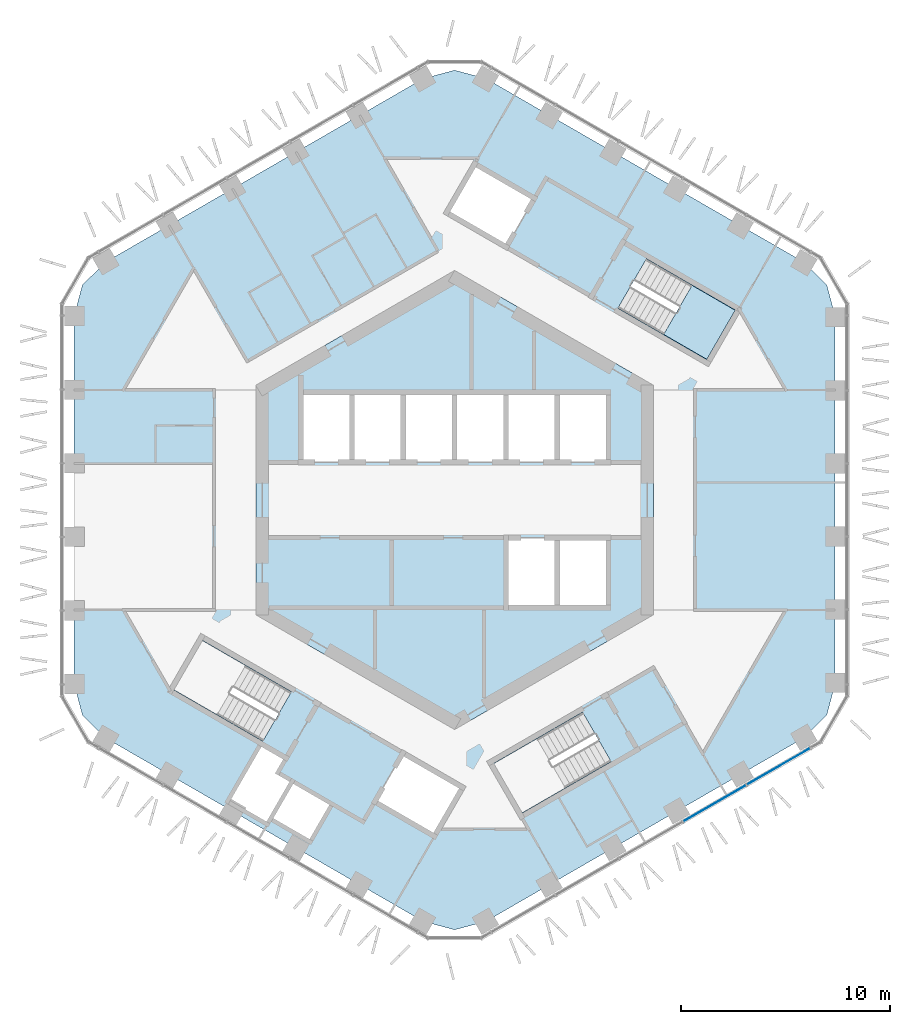
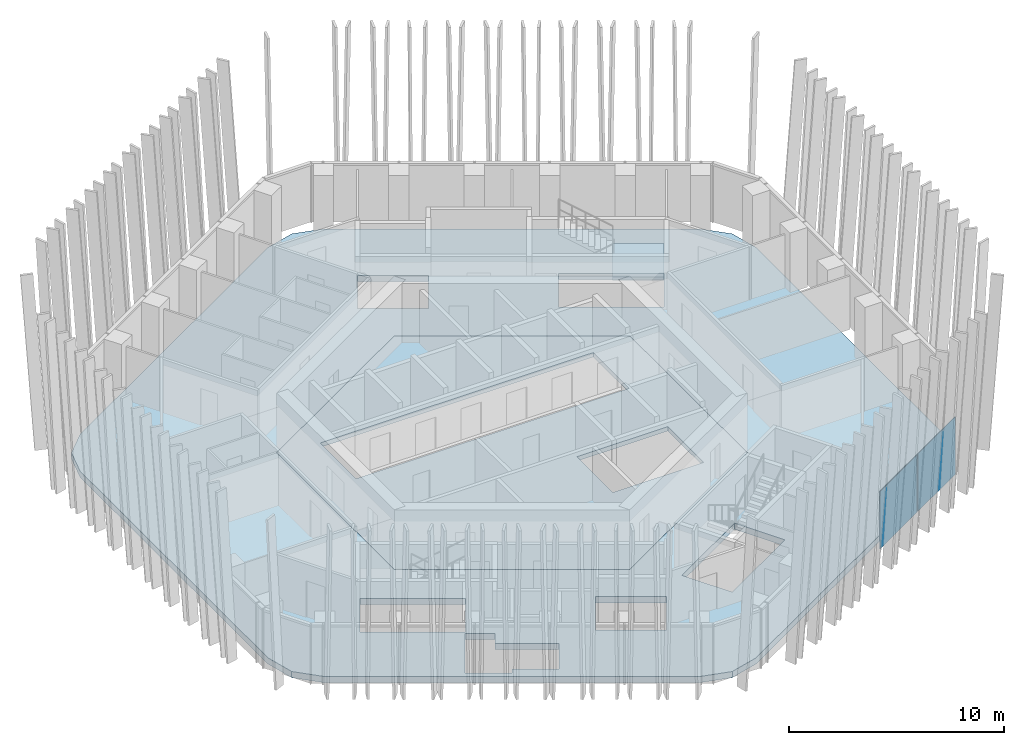
# One storey, part 10 of 21: 3 slabs, 2 plates, 2 elements without a shape of their own.
"""IFC4 building model written with IfcOpenShell, lengths in metres."""

from ifc_helpers import new_model, si_unit, direction, frame, origin, origin_2d, place, context, subcontext, project, spatial, polyline, rectangle, outline, extrude, material, layer, layer_set, type_object, element, aggregate, save


model = new_model("IFC4")

# Units and contexts
model_context = context("Model", 3, precision=1e-05, world=origin(), true_north=direction((0.0, 1.0)))
body_context = subcontext(model_context, "Body", "Model", "MODEL_VIEW")
ifc_project = project(units=[si_unit("LENGTHUNIT", "METRE"), si_unit("AREAUNIT", "SQUARE_METRE"), si_unit("VOLUMEUNIT", "CUBIC_METRE"), si_unit("PLANEANGLEUNIT", "RADIAN"), si_unit("MASSUNIT", "GRAM", prefix="KILO")], contexts=[model_context])

# Site, building, storey
site_placement = place(None, origin())
site = spatial("IfcSite", under=ifc_project, at=site_placement, CompositionType="ELEMENT")
building_placement = place(site_placement, origin())
building = spatial("IfcBuilding", under=site, at=building_placement, Name="Ayvan Gate Tower", CompositionType="ELEMENT")
storey_placement = place(building_placement, frame((0.0, 0.0, 152.699951171875)))
storey = spatial("IfcBuildingStorey", under=building, at=storey_placement, Name="L40", CompositionType="ELEMENT", Elevation=152.699951171875)

# Slabs
ifc_material_1 = material(Name="Concrete C40/50", Category="concrete")
ifc_layer_1 = layer(ifc_material_1, 0.35009765625)
ifc_layer_set_1 = layer_set([ifc_layer_1], Name="Concrete C40/50")
slab_type_1 = type_object("IfcSlabType", Name="Post-tensioned flat slab 350", PredefinedType="FLOOR", material=ifc_layer_set_1)
slab_1_placement = place(storey_placement, frame((0.0, 0.0, -0.349853515625)))
element("IfcSlab", 1, at=slab_1_placement, inside=storey, type_object=slab_type_1, Name="SL-L40", PredefinedType="FLOOR", context=body_context, shape_type="SweptSolid", body=[
    extrude(outline(polyline([(0.0, -20.535888671875), (-1.5, -20.134033203125), (-16.6865234375, -11.365966796875), (-17.78466796875, -10.26806640625), (-18.1865234375, -8.76806640625), (-18.1865234375, 8.76806640625), (-17.78466796875, 10.26806640625), (-16.6865234375, 11.365966796875), (-1.5, 20.134033203125), (0.0, 20.535888671875), (1.5, 20.134033203125), (16.6865234375, 11.365966796875), (17.78466796875, 10.26806640625), (18.1865234375, 8.76806640625), (18.1865234375, -8.76806640625), (17.78466796875, -10.26806640625), (16.6865234375, -11.365966796875), (1.5, -20.134033203125), (0.0, -20.535888671875)]), holes=[polyline([(13.404541015625, 9.0673828125), (9.1611328125, 11.517578125), (7.80615234375, 9.170654296875), (12.049560546875, 6.720458984375), (13.404541015625, 9.0673828125)]), polyline([(0.0, 10.9697265625), (-9.5, 5.48486328125), (-9.5, -5.48486328125), (0.0, -10.9697265625), (9.5, -5.48486328125), (9.5, 5.48486328125), (0.0, 10.9697265625)]), polyline([(3.228759765625, -14.9423828125), (7.472412109375, -12.492431640625), (6.117431640625, -10.1455078125), (1.873779296875, -12.595458984375), (3.228759765625, -14.9423828125)]), polyline([(0.964599609375, 16.07080078125), (-0.385498046875, 13.732421875), (2.472412109375, 12.08251953125), (3.822509765625, 14.420654296875), (0.964599609375, 16.07080078125)]), polyline([(0.385498046875, -13.732421875), (-2.472412109375, -12.08251953125), (-3.822509765625, -14.420654296875), (-0.964599609375, -16.07080078125), (-0.771240234375, -15.73583984375), (0.385498046875, -13.732421875)]), polyline([(-8.800048828125, -15.241943359375), (-6.894775390625, -16.342041015625), (-5.8447265625, -14.5234375), (-7.77587890625, -13.408447265625), (-8.44287109375, -13.0234375), (-8.042724609375, -12.33056640625), (-9.25537109375, -11.630615234375), (-10.855224609375, -14.40185546875), (-8.949951171875, -15.501953125), (-8.800048828125, -15.241943359375)]), polyline([(-7.80615234375, -9.170654296875), (-12.049560546875, -6.720458984375), (-13.404541015625, -9.0673828125), (-9.1611328125, -11.517578125), (-7.80615234375, -9.170654296875)])]), origin(), (0.0, 0.0, 1.0), 0.349853515625),
])
ifc_layer_2 = layer(ifc_material_1, 0.25)
ifc_layer_set_2 = layer_set([ifc_layer_2], Name="Concrete C40/50")
slab_type_2 = type_object("IfcSlabType", Name="SL-CORE-250", PredefinedType="FLOOR", material=ifc_layer_set_2)
slab_2_placement = place(storey_placement, frame((0.0, 0.0, -0.25)))
element("IfcSlab", 2, at=slab_2_placement, inside=storey, type_object=slab_type_2, Name="CS-L40", PredefinedType="FLOOR", context=body_context, shape_type="SweptSolid", body=[
    extrude(outline(polyline([(9.5, -5.48486328125), (0.0, -10.9697265625), (-9.5, -5.48486328125), (-9.5, 5.48486328125), (0.0, 10.9697265625), (9.5, 5.48486328125), (9.5, -5.48486328125)]), holes=[polyline([(-7.35009765625, 5.14990234375), (-7.35009765625, 1.800048828125), (7.35009765625, 1.800048828125), (7.35009765625, 5.14990234375), (-7.35009765625, 5.14990234375)]), polyline([(2.449951171875, -1.800048828125), (2.449951171875, -5.14990234375), (7.35009765625, -5.14990234375), (7.35009765625, -1.800048828125), (2.449951171875, -1.800048828125)])]), origin(), (0.0, 0.0, 1.0), 0.25),
])

# Stair, slab
stair_type = type_object("IfcStairType", Name="ST-EXIT", PredefinedType="HALF_TURN_STAIR", material=ifc_material_1)
stair_placement = place(storey_placement, origin())
stair = element("IfcStair", 3, at=stair_placement, inside=storey, type_object=stair_type, Name="L40 Exit Stair S1", PredefinedType="HALF_TURN_STAIR")
ifc_layer_3 = layer(ifc_material_1, 0.199951171875)
ifc_layer_set_3 = layer_set([ifc_layer_3], Name="Concrete C40/50")
slab_type_3 = type_object("IfcSlabType", Name="SL-LANDING-200", PredefinedType="LANDING", material=ifc_layer_set_3)
slab_3_placement = place(storey_placement, frame((0.0, 0.0, 1.5)))
slab_3 = element("IfcSlab", 4, at=slab_3_placement, type_object=slab_type_3, Name="STS1 landing 1", PredefinedType="LANDING", context=body_context, shape_type="SweptSolid", body=[
    extrude(outline(polyline([(9.988525390625, 7.91064453125), (12.049560546875, 6.720458984375), (13.404541015625, 9.0673828125), (11.343505859375, 10.257568359375), (9.988525390625, 7.91064453125)])), origin(), (0.0, 0.0, 1.0), 0.199951171875),
])
aggregate(stair, [slab_3])

# Curtain wall, plates
ifc_material_2 = material(Name="Bronze anodised aluminium", Category="aluminium")
ifc_layer_4 = layer(ifc_material_2, 0.199951171875)
ifc_layer_set_4 = layer_set([ifc_layer_4], Name="Bronze anodised aluminium")
curtain_wall_type = type_object("IfcCurtainWallType", Name="Stick curtain wall CW-2", PredefinedType="NOTDEFINED", material=ifc_layer_set_4)
curtain_wall_placement = place(storey_placement, origin())
curtain_wall = element("IfcCurtainWall", 5, at=curtain_wall_placement, inside=storey, type_object=curtain_wall_type, Name="Stick curtain wall CW-2 L40", PredefinedType="NOTDEFINED")
ifc_material_3 = material(Name="Clear low-iron laminated glass", Category="glass")
ifc_layer_5 = layer(ifc_material_3, 0.028076171875)
ifc_layer_set_5 = layer_set([ifc_layer_5], Name="Clear low-iron laminated glass")
plate_type = type_object("IfcPlateType", Name="Stick curtain wall CW-2 glass panel", PredefinedType="CURTAIN_PANEL", material=ifc_layer_set_5)
plate_1_placement = place(storey_placement, frame((12.42431640625, -14.49072265625, 0.0), z_axis=(0.0, 0.0, 1.0), x_axis=(0.866025403784, 0.5, 0.0)))
plate_1 = element("IfcPlate", 6, at=plate_1_placement, type_object=plate_type, Name="CW-2 glass panel 4", PredefinedType="CURTAIN_PANEL", context=body_context, shape_type="SweptSolid", body=[
    extrude(rectangle(XDim=3.444091796875, YDim=0.028076171875, at=origin_2d()), origin(), (0.0, 0.0, 1.0), 3.280029296875),
])
plate_2_placement = place(storey_placement, frame((15.49267578125, -12.71923828125, 0.0), z_axis=(0.0, 0.0, 1.0), x_axis=(0.866025403784, 0.5, 0.0)))
plate_2 = element("IfcPlate", 7, at=plate_2_placement, type_object=plate_type, Name="CW-2 glass panel 5", PredefinedType="CURTAIN_PANEL", context=body_context, shape_type="SweptSolid", body=[
    extrude(rectangle(XDim=3.502197265625, YDim=0.028076171875, at=origin_2d()), origin(), (0.0, 0.0, 1.0), 3.280029296875),
])
aggregate(curtain_wall, [plate_1, plate_2])

save(model, "model.ifc")
